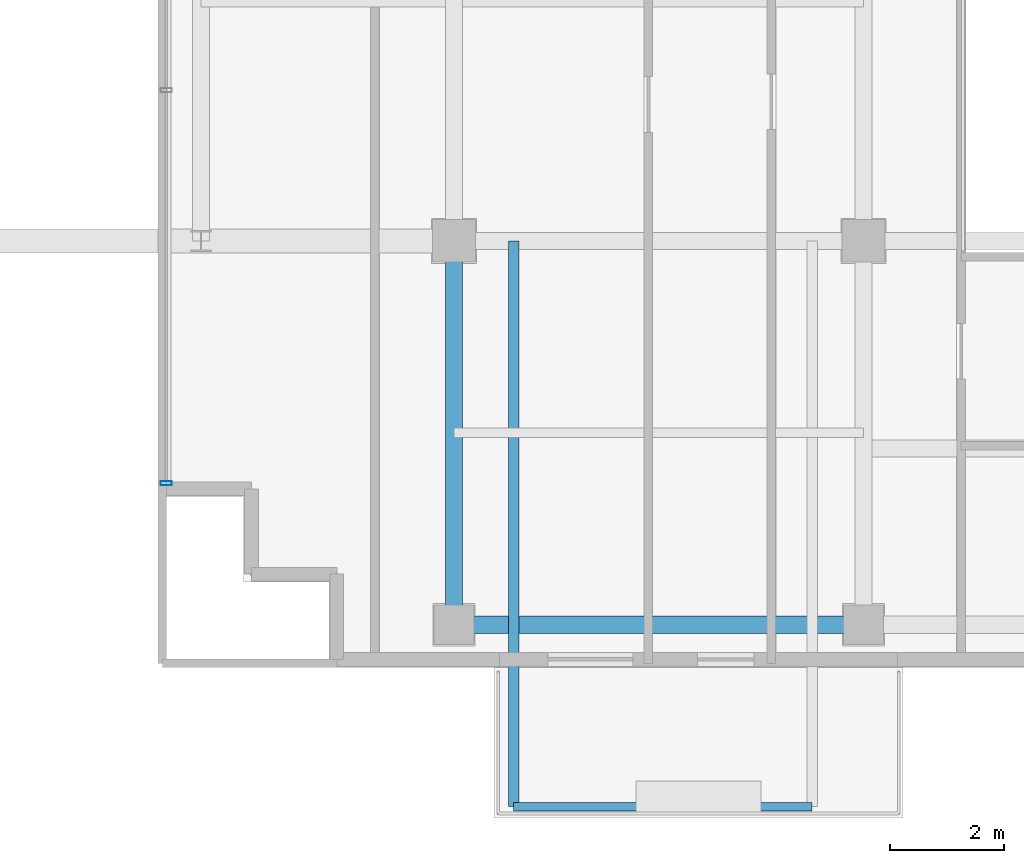
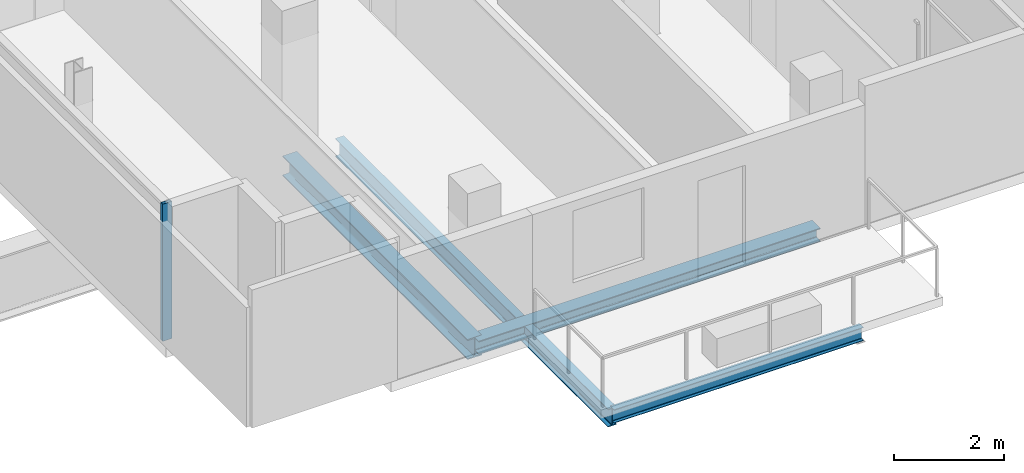
# One storey, part 2 of 23: 4 beams, 1 member, 1 element without a shape of its own.
"""IFC4 building model written with IfcOpenShell, lengths in metres."""

from ifc_helpers import new_model, si_unit, direction, frame, origin, origin_2d, place, context, subcontext, project, spatial, hollow_rectangle, i_section, extrude, source, transform, mapped, material, layer, layer_set, material_profile, profile_set, type_object, element, aggregate, save


model = new_model("IFC4")

# Units and contexts
model_context = context("Model", 3, precision=1e-05, world=origin(), true_north=direction((0.0, 1.0)))
body_context = subcontext(model_context, "Body", "Model", "MODEL_VIEW")
ifc_project = project(units=[si_unit("LENGTHUNIT", "METRE"), si_unit("AREAUNIT", "SQUARE_METRE"), si_unit("VOLUMEUNIT", "CUBIC_METRE"), si_unit("PLANEANGLEUNIT", "RADIAN"), si_unit("MASSUNIT", "GRAM", prefix="KILO")], contexts=[model_context])

# Site, building, storey
site_placement = place(None, origin())
site = spatial("IfcSite", under=ifc_project, at=site_placement, CompositionType="ELEMENT")
building_placement = place(site_placement, origin())
building = spatial("IfcBuilding", under=site, at=building_placement, Name="Zarnakvel Exchange Tower", CompositionType="ELEMENT")
storey_placement = place(building_placement, frame((0.0, 0.0, 232.0)))
storey = spatial("IfcBuildingStorey", under=building, at=storey_placement, Name="L65", CompositionType="ELEMENT", Elevation=232.0)

# Beams
ifc_material_1 = material(Name="Steel S355", Category="steel")
ifc_material_profile_1 = material_profile(ifc_material_1, i_section(OverallWidth=0.179931640625, OverallDepth=0.39990234375, WebThickness=0.008544921875, FlangeThickness=0.013427734375, FilletRadius=0.02099609375, at=origin_2d()))
ifc_profile_set_1 = profile_set([ifc_material_profile_1], Name="Steel S355")
beam_type_1 = type_object("IfcBeamType", Name="B-06", PredefinedType="JOIST", material=ifc_profile_set_1)
beam_1_placement = place(storey_placement, frame((-13.35009765625, -9.60009765625, -0.425048828125), z_axis=(0.0, -1.0, 0.0), x_axis=(1.0, 0.0, 0.0)))
element("IfcBeam", 1, at=beam_1_placement, inside=storey, type_object=beam_type_1, Name="L65 Continuous Back-Spanned Balcony Beam W", PredefinedType="JOIST", context=body_context, shape_type="SweptSolid", body=[
    extrude(i_section(OverallWidth=0.179931640625, OverallDepth=0.39990234375, WebThickness=0.008544921875, FlangeThickness=0.013427734375, FilletRadius=0.02099609375, at=origin_2d()), origin(), (0.0, 0.0, 1.0), 9.949951171875),
])
ifc_material_profile_2 = material_profile(ifc_material_1, i_section(OverallWidth=0.14990234375, OverallDepth=0.300048828125, WebThickness=0.007080078125, FlangeThickness=0.0107421875, FilletRadius=0.014892578125, at=origin_2d()))
ifc_profile_set_2 = profile_set([ifc_material_profile_2], Name="Steel S355")
beam_type_2 = type_object("IfcBeamType", Name="B-08", PredefinedType="JOIST", material=ifc_profile_set_2)
beam_2_placement = place(storey_placement, frame((-13.35009765625, -19.550048828125, -0.375), z_axis=(1.0, 0.0, 0.0), x_axis=(0.0, 1.0, 0.0)))
element("IfcBeam", 2, at=beam_2_placement, inside=storey, type_object=beam_type_2, Name="L65 Balcony Edge Beam", PredefinedType="JOIST", context=body_context, shape_type="SweptSolid", body=[
    extrude(i_section(OverallWidth=0.14990234375, OverallDepth=0.300048828125, WebThickness=0.007080078125, FlangeThickness=0.0107421875, FilletRadius=0.014892578125, at=origin_2d()), origin(), (0.0, 0.0, 1.0), 5.25),
])
ifc_material_profile_3 = material_profile(ifc_material_1, i_section(OverallWidth=0.300048828125, OverallDepth=0.449951171875, WebThickness=0.013916015625, FlangeThickness=0.02587890625, FilletRadius=0.027099609375, at=origin_2d()))
ifc_profile_set_3 = profile_set([ifc_material_profile_3], Name="Steel S355")
beam_type_3 = type_object("IfcBeamType", Name="G-07", PredefinedType="BEAM", material=ifc_profile_set_3)
beam_3_placement = place(storey_placement, frame((-14.39990234375, -16.35009765625, -0.449951171875), z_axis=(0.0, 1.0, 0.0), x_axis=(-1.0, 0.0, 0.0)))
element("IfcBeam", 3, at=beam_3_placement, inside=storey, type_object=beam_type_3, Name="L65 Tower N-S Frame Beam", PredefinedType="BEAM", context=body_context, shape_type="SweptSolid", body=[
    extrude(i_section(OverallWidth=0.300048828125, OverallDepth=0.449951171875, WebThickness=0.013916015625, FlangeThickness=0.02587890625, FilletRadius=0.027099609375, at=origin_2d()), origin(), (0.0, 0.0, 1.0), 6.75),
])
ifc_material_profile_4 = material_profile(ifc_material_1, i_section(OverallWidth=0.300048828125, OverallDepth=0.300048828125, WebThickness=0.010986328125, FlangeThickness=0.01904296875, FilletRadius=0.027099609375, at=origin_2d()))
ifc_profile_set_4 = profile_set([ifc_material_profile_4], Name="Steel S355")
beam_type_4 = type_object("IfcBeamType", Name="SP-03", PredefinedType="SPANDREL", material=ifc_profile_set_4)
beam_4_placement = place(storey_placement, frame((-14.39990234375, -16.35009765625, -0.375), z_axis=(1.0, 0.0, 0.0), x_axis=(0.0, 1.0, 0.0)))
element("IfcBeam", 4, at=beam_4_placement, inside=storey, type_object=beam_type_4, Name="L65 Tower E-W Frame Beam", PredefinedType="SPANDREL", context=body_context, shape_type="SweptSolid", body=[
    extrude(i_section(OverallWidth=0.300048828125, OverallDepth=0.300048828125, WebThickness=0.010986328125, FlangeThickness=0.01904296875, FilletRadius=0.027099609375, at=origin_2d()), origin(), (0.0, 0.0, 1.0), 7.199951171875),
])

# Curtain wall, member
ifc_material_2 = material(Name="Architectural Bronze Anodised Aluminium", Category="aluminium")
ifc_layer = layer(ifc_material_2, 0.199951171875)
ifc_layer_set = layer_set([ifc_layer], Name="Architectural Bronze Anodised Aluminium")
curtain_wall_type = type_object("IfcCurtainWallType", Name="CW-04", PredefinedType="NOTDEFINED", material=ifc_layer_set)
curtain_wall_placement = place(storey_placement, origin())
curtain_wall = element("IfcCurtainWall", 5, at=curtain_wall_placement, inside=storey, type_object=curtain_wall_type, Name="L65 Curtain Wall CW-L65-W1 (CW-04)", PredefinedType="NOTDEFINED")
ifc_material_profile_5 = material_profile(ifc_material_2, hollow_rectangle(XDim=0.199951171875, YDim=0.074951171875, WallThickness=0.0048828125, at=origin_2d()))
ifc_profile_set_5 = profile_set([ifc_material_profile_5], Name="Architectural Bronze Anodised Aluminium")
member_type = type_object("IfcMemberType", Name="CWM-04", PredefinedType="MULLION", material=ifc_profile_set_5)
shared_shape = source(origin(), body_context, "Body", "SweptSolid", [
    extrude(hollow_rectangle(XDim=0.199951171875, YDim=0.074951171875, WallThickness=0.0048828125, at=origin_2d()), origin(), (0.0, 0.0, 1.0), 3.054931640625),
])
member_placement = place(storey_placement, frame((-19.4599609375, -13.862548828125, 0.0), z_axis=(0.0, 0.0, 1.0), x_axis=(-1.0, 0.0, 0.0)))
member = element("IfcMember", 6, at=member_placement, type_object=member_type, Name="CW-04 mullion 1", PredefinedType="MULLION", context=body_context, shape_type="MappedRepresentation", body=[
    mapped(shared_shape, transform((0.0, 0.0, 0.0), x_axis=(1.0, 0.0, 0.0), y_axis=(0.0, 1.0, 0.0), z_axis=(0.0, 0.0, 1.0), scale=1.0)),
])
aggregate(curtain_wall, [member])

save(model, "model.ifc")
